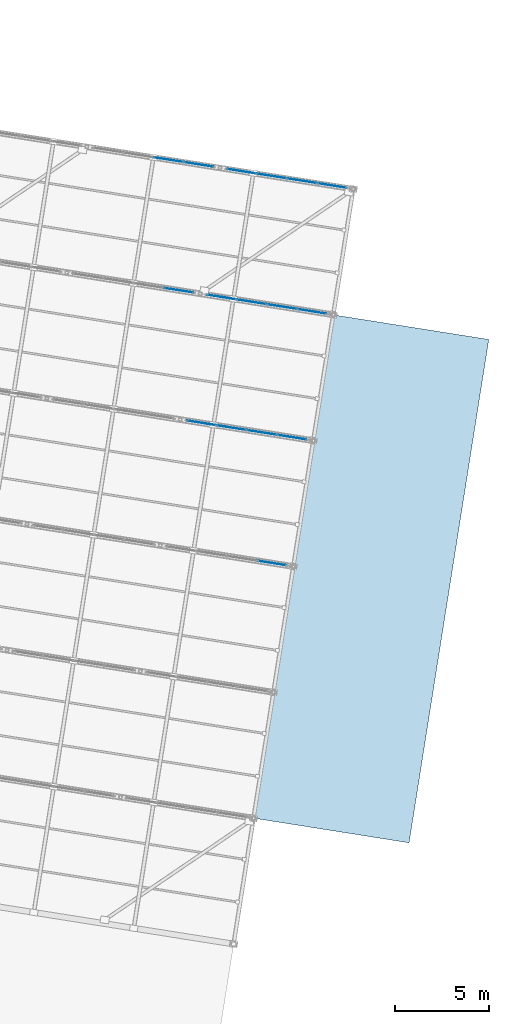
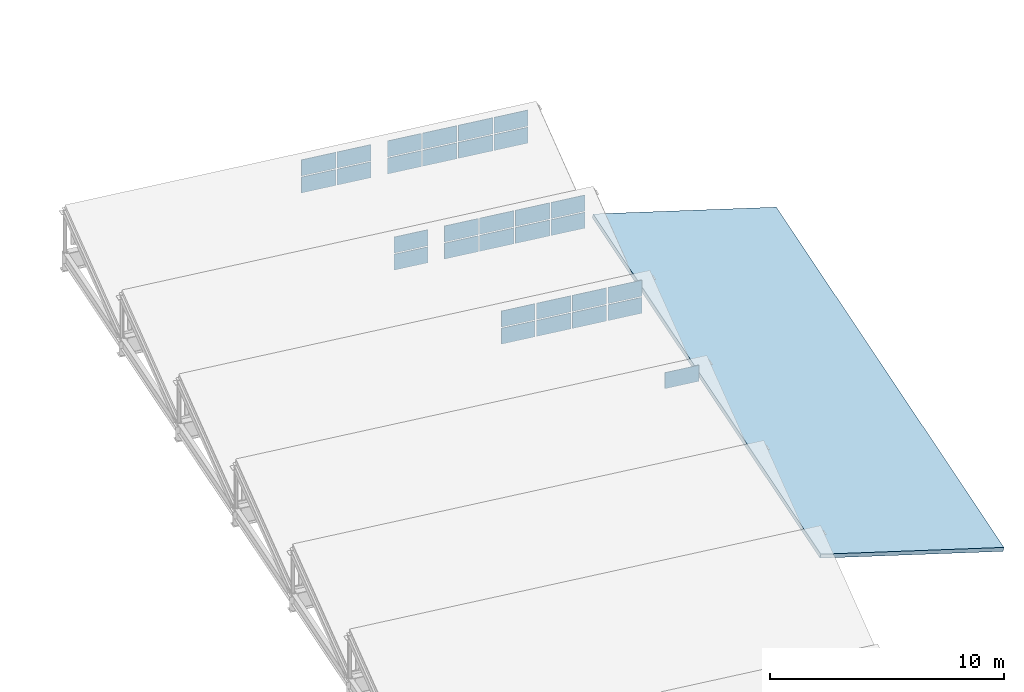
# One storey, part 58 of 65: 31 plates, 1 slab, 6 elements without a shape of their own.
"""IFC4 building model written with IfcOpenShell, lengths in metres."""

from ifc_helpers import new_model, si_unit, direction, frame, origin, origin_2d, place, context, subcontext, project, spatial, polyline, rectangle, outline, extrude, material, layer, layer_set, type_object, element, aggregate, save


model = new_model("IFC4")

# Units and contexts
model_context = context("Model", 3, precision=1e-05, world=origin(), true_north=direction((0.0, 1.0)))
body_context = subcontext(model_context, "Body", "Model", "MODEL_VIEW")
ifc_project = project(units=[si_unit("LENGTHUNIT", "METRE"), si_unit("AREAUNIT", "SQUARE_METRE"), si_unit("VOLUMEUNIT", "CUBIC_METRE"), si_unit("PLANEANGLEUNIT", "RADIAN"), si_unit("MASSUNIT", "GRAM", prefix="KILO")], contexts=[model_context])

# Site, building, storey
site_placement = place(None, origin())
site = spatial("IfcSite", under=ifc_project, at=site_placement, CompositionType="ELEMENT")
building_placement = place(site_placement, origin())
building = spatial("IfcBuilding", under=site, at=building_placement, Name="Cinderway Yard Community Centre", CompositionType="ELEMENT")
storey_placement = place(building_placement, frame((0.0, 0.0, 24.300048828125)))
storey = spatial("IfcBuildingStorey", under=building, at=storey_placement, Name="RF", CompositionType="ELEMENT", Elevation=24.300048828125)

# Curtain wall, plate
ifc_material_1 = material(Name="Aluminium 6063-T6", Category="aluminium")
curtain_wall_type = type_object("IfcCurtainWallType", Name="ENV-CW-TYPE-23", PredefinedType="USERDEFINED", material=ifc_material_1)
curtain_wall_1_placement = place(storey_placement, origin())
curtain_wall_1 = element("IfcCurtainWall", 1, at=curtain_wall_1_placement, inside=storey, type_object=curtain_wall_type, Name="Sawtooth North-Light Clerestory ENV-CW-RF-ST-0080", ObjectType="GLAZED CURTAIN WALL", PredefinedType="USERDEFINED")
ifc_material_2 = material(Name="Laminated Low-E Glass", Category="glass")
ifc_layer_1 = layer(ifc_material_2, 0.028076171875, Name="Laminated Low-E Glass")
ifc_layer_set_1 = layer_set([ifc_layer_1], Name="Laminated Low-E Glass")
plate_type = type_object("IfcPlateType", Name="ENV-CW-PAN-IGU28", PredefinedType="CURTAIN_PANEL", material=ifc_layer_set_1)
plate_1_placement = place(storey_placement, frame((141.38427734375, 54.95068359375, -9.25), z_axis=(0.0, 0.0, 1.0), x_axis=(0.987692410142, -0.15640876877, 0.0)))
plate_1 = element("IfcPlate", 2, at=plate_1_placement, type_object=plate_type, Name="CW-23 panel 4.2", PredefinedType="CURTAIN_PANEL", context=body_context, shape_type="SweptSolid", body=[
    extrude(rectangle(XDim=1.550048828125, YDim=0.028076171875, at=origin_2d()), origin(), (0.0, 0.0, 1.0), 0.840087890625),
])
aggregate(curtain_wall_1, [plate_1])

# Curtain wall, plates
curtain_wall_2_placement = place(storey_placement, origin())
curtain_wall_2 = element("IfcCurtainWall", 3, at=curtain_wall_2_placement, inside=storey, type_object=curtain_wall_type, Name="Sawtooth North-Light Clerestory ENV-CW-RF-ST-0083", ObjectType="GLAZED CURTAIN WALL", PredefinedType="USERDEFINED")
plate_2_placement = place(storey_placement, frame((137.61865234375, 62.431396484375, -10.14013671875), z_axis=(0.0, 0.0, 1.0), x_axis=(0.987692410142, -0.15640876877, 0.0)))
plate_2 = element("IfcPlate", 4, at=plate_2_placement, type_object=plate_type, Name="CW-23 panel 1.1", PredefinedType="CURTAIN_PANEL", context=body_context, shape_type="SweptSolid", body=[
    extrude(rectangle(XDim=1.550048828125, YDim=0.028076171875, at=origin_2d()), origin(), (0.0, 0.0, 1.0), 0.830078125),
])
plate_3_placement = place(storey_placement, frame((137.61865234375, 62.431396484375, -9.25), z_axis=(0.0, 0.0, 1.0), x_axis=(0.987692410142, -0.15640876877, 0.0)))
plate_3 = element("IfcPlate", 5, at=plate_3_placement, type_object=plate_type, Name="CW-23 panel 1.2", PredefinedType="CURTAIN_PANEL", context=body_context, shape_type="SweptSolid", body=[
    extrude(rectangle(XDim=1.550048828125, YDim=0.028076171875, at=origin_2d()), origin(), (0.0, 0.0, 1.0), 0.840087890625),
])
plate_4_placement = place(storey_placement, frame((139.2236328125, 62.17724609375, -10.14013671875), z_axis=(0.0, 0.0, 1.0), x_axis=(0.987692410142, -0.15640876877, 0.0)))
plate_4 = element("IfcPlate", 6, at=plate_4_placement, type_object=plate_type, Name="CW-23 panel 2.1", PredefinedType="CURTAIN_PANEL", context=body_context, shape_type="SweptSolid", body=[
    extrude(rectangle(XDim=1.579833984375, YDim=0.028076171875, at=origin_2d()), origin(), (0.0, 0.0, 1.0), 0.830078125),
])
plate_5_placement = place(storey_placement, frame((139.2236328125, 62.17724609375, -9.25), z_axis=(0.0, 0.0, 1.0), x_axis=(0.987692410142, -0.15640876877, 0.0)))
plate_5 = element("IfcPlate", 7, at=plate_5_placement, type_object=plate_type, Name="CW-23 panel 2.2", PredefinedType="CURTAIN_PANEL", context=body_context, shape_type="SweptSolid", body=[
    extrude(rectangle(XDim=1.579833984375, YDim=0.028076171875, at=origin_2d()), origin(), (0.0, 0.0, 1.0), 0.840087890625),
])
plate_6_placement = place(storey_placement, frame((140.84326171875, 61.920654296875, -10.14013671875), z_axis=(0.0, 0.0, 1.0), x_axis=(0.987692410142, -0.15640876877, 0.0)))
plate_6 = element("IfcPlate", 8, at=plate_6_placement, type_object=plate_type, Name="CW-23 panel 3.1", PredefinedType="CURTAIN_PANEL", context=body_context, shape_type="SweptSolid", body=[
    extrude(rectangle(XDim=1.579833984375, YDim=0.028076171875, at=origin_2d()), origin(), (0.0, 0.0, 1.0), 0.830078125),
])
plate_7_placement = place(storey_placement, frame((140.84326171875, 61.920654296875, -9.25), z_axis=(0.0, 0.0, 1.0), x_axis=(0.987692410142, -0.15640876877, 0.0)))
plate_7 = element("IfcPlate", 9, at=plate_7_placement, type_object=plate_type, Name="CW-23 panel 3.2", PredefinedType="CURTAIN_PANEL", context=body_context, shape_type="SweptSolid", body=[
    extrude(rectangle(XDim=1.579833984375, YDim=0.028076171875, at=origin_2d()), origin(), (0.0, 0.0, 1.0), 0.840087890625),
])
plate_8_placement = place(storey_placement, frame((142.4482421875, 61.66650390625, -10.14013671875), z_axis=(0.0, 0.0, 1.0), x_axis=(0.987692410142, -0.15640876877, 0.0)))
plate_8 = element("IfcPlate", 10, at=plate_8_placement, type_object=plate_type, Name="CW-23 panel 4.1", PredefinedType="CURTAIN_PANEL", context=body_context, shape_type="SweptSolid", body=[
    extrude(rectangle(XDim=1.550048828125, YDim=0.028076171875, at=origin_2d()), origin(), (0.0, 0.0, 1.0), 0.830078125),
])
plate_9_placement = place(storey_placement, frame((142.4482421875, 61.66650390625, -9.25), z_axis=(0.0, 0.0, 1.0), x_axis=(0.987692410142, -0.15640876877, 0.0)))
plate_9 = element("IfcPlate", 11, at=plate_9_placement, type_object=plate_type, Name="CW-23 panel 4.2", PredefinedType="CURTAIN_PANEL", context=body_context, shape_type="SweptSolid", body=[
    extrude(rectangle(XDim=1.550048828125, YDim=0.028076171875, at=origin_2d()), origin(), (0.0, 0.0, 1.0), 0.840087890625),
])
aggregate(curtain_wall_2, [plate_2, plate_3, plate_4, plate_5, plate_6, plate_7, plate_8, plate_9])

curtain_wall_3_placement = place(storey_placement, origin())
curtain_wall_3 = element("IfcCurtainWall", 12, at=curtain_wall_3_placement, inside=storey, type_object=curtain_wall_type, Name="Sawtooth North-Light Clerestory ENV-CW-RF-ST-0085", ObjectType="GLAZED CURTAIN WALL", PredefinedType="USERDEFINED")
plate_10_placement = place(storey_placement, frame((136.400390625, 69.509521484375, -10.14013671875), z_axis=(0.0, 0.0, 1.0), x_axis=(0.987692410142, -0.15640876877, 0.0)))
plate_10 = element("IfcPlate", 13, at=plate_10_placement, type_object=plate_type, Name="CW-23 panel 4.1", PredefinedType="CURTAIN_PANEL", context=body_context, shape_type="SweptSolid", body=[
    extrude(rectangle(XDim=1.550048828125, YDim=0.028076171875, at=origin_2d()), origin(), (0.0, 0.0, 1.0), 0.830078125),
])
plate_11_placement = place(storey_placement, frame((136.400390625, 69.509521484375, -9.25), z_axis=(0.0, 0.0, 1.0), x_axis=(0.987692410142, -0.15640876877, 0.0)))
plate_11 = element("IfcPlate", 14, at=plate_11_placement, type_object=plate_type, Name="CW-23 panel 4.2", PredefinedType="CURTAIN_PANEL", context=body_context, shape_type="SweptSolid", body=[
    extrude(rectangle(XDim=1.550048828125, YDim=0.028076171875, at=origin_2d()), origin(), (0.0, 0.0, 1.0), 0.840087890625),
])
aggregate(curtain_wall_3, [plate_10, plate_11])

curtain_wall_4_placement = place(storey_placement, origin())
curtain_wall_4 = element("IfcCurtainWall", 15, at=curtain_wall_4_placement, inside=storey, type_object=curtain_wall_type, Name="Sawtooth North-Light Clerestory ENV-CW-RF-ST-0086", ObjectType="GLAZED CURTAIN WALL", PredefinedType="USERDEFINED")
plate_12_placement = place(storey_placement, frame((138.681884765625, 69.148193359375, -10.14013671875), z_axis=(0.0, 0.0, 1.0), x_axis=(0.98767258474, -0.156533911189, 0.0)))
plate_12 = element("IfcPlate", 16, at=plate_12_placement, type_object=plate_type, Name="CW-23 panel 1.1", PredefinedType="CURTAIN_PANEL", context=body_context, shape_type="SweptSolid", body=[
    extrude(rectangle(XDim=1.55029296875, YDim=0.028076171875, at=origin_2d()), origin(), (0.0, 0.0, 1.0), 0.830078125),
])
plate_13_placement = place(storey_placement, frame((138.681884765625, 69.148193359375, -9.25), z_axis=(0.0, 0.0, 1.0), x_axis=(0.98767258474, -0.156533911189, 0.0)))
plate_13 = element("IfcPlate", 17, at=plate_13_placement, type_object=plate_type, Name="CW-23 panel 1.2", PredefinedType="CURTAIN_PANEL", context=body_context, shape_type="SweptSolid", body=[
    extrude(rectangle(XDim=1.55029296875, YDim=0.028076171875, at=origin_2d()), origin(), (0.0, 0.0, 1.0), 0.840087890625),
])
plate_14_placement = place(storey_placement, frame((140.287109375, 68.893798828125, -10.14013671875), z_axis=(0.0, 0.0, 1.0), x_axis=(0.98767258474, -0.156533911189, 0.0)))
plate_14 = element("IfcPlate", 18, at=plate_14_placement, type_object=plate_type, Name="CW-23 panel 2.1", PredefinedType="CURTAIN_PANEL", context=body_context, shape_type="SweptSolid", body=[
    extrude(rectangle(XDim=1.580322265625, YDim=0.028076171875, at=origin_2d()), origin(), (0.0, 0.0, 1.0), 0.830078125),
])
plate_15_placement = place(storey_placement, frame((140.287109375, 68.893798828125, -9.25), z_axis=(0.0, 0.0, 1.0), x_axis=(0.98767258474, -0.156533911189, 0.0)))
plate_15 = element("IfcPlate", 19, at=plate_15_placement, type_object=plate_type, Name="CW-23 panel 2.2", PredefinedType="CURTAIN_PANEL", context=body_context, shape_type="SweptSolid", body=[
    extrude(rectangle(XDim=1.580322265625, YDim=0.028076171875, at=origin_2d()), origin(), (0.0, 0.0, 1.0), 0.840087890625),
])
plate_16_placement = place(storey_placement, frame((141.906982421875, 68.63720703125, -10.14013671875), z_axis=(0.0, 0.0, 1.0), x_axis=(0.98767258474, -0.156533911189, 0.0)))
plate_16 = element("IfcPlate", 20, at=plate_16_placement, type_object=plate_type, Name="CW-23 panel 3.1", PredefinedType="CURTAIN_PANEL", context=body_context, shape_type="SweptSolid", body=[
    extrude(rectangle(XDim=1.580322265625, YDim=0.028076171875, at=origin_2d()), origin(), (0.0, 0.0, 1.0), 0.830078125),
])
plate_17_placement = place(storey_placement, frame((141.906982421875, 68.63720703125, -9.25), z_axis=(0.0, 0.0, 1.0), x_axis=(0.98767258474, -0.156533911189, 0.0)))
plate_17 = element("IfcPlate", 21, at=plate_17_placement, type_object=plate_type, Name="CW-23 panel 3.2", PredefinedType="CURTAIN_PANEL", context=body_context, shape_type="SweptSolid", body=[
    extrude(rectangle(XDim=1.580322265625, YDim=0.028076171875, at=origin_2d()), origin(), (0.0, 0.0, 1.0), 0.840087890625),
])
plate_18_placement = place(storey_placement, frame((143.51220703125, 68.3828125, -10.14013671875), z_axis=(0.0, 0.0, 1.0), x_axis=(0.98767258474, -0.156533911189, 0.0)))
plate_18 = element("IfcPlate", 22, at=plate_18_placement, type_object=plate_type, Name="CW-23 panel 4.1", PredefinedType="CURTAIN_PANEL", context=body_context, shape_type="SweptSolid", body=[
    extrude(rectangle(XDim=1.55029296875, YDim=0.028076171875, at=origin_2d()), origin(), (0.0, 0.0, 1.0), 0.830078125),
])
plate_19_placement = place(storey_placement, frame((143.51220703125, 68.3828125, -9.25), z_axis=(0.0, 0.0, 1.0), x_axis=(0.98767258474, -0.156533911189, 0.0)))
plate_19 = element("IfcPlate", 23, at=plate_19_placement, type_object=plate_type, Name="CW-23 panel 4.2", PredefinedType="CURTAIN_PANEL", context=body_context, shape_type="SweptSolid", body=[
    extrude(rectangle(XDim=1.55029296875, YDim=0.028076171875, at=origin_2d()), origin(), (0.0, 0.0, 1.0), 0.840087890625),
])
aggregate(curtain_wall_4, [plate_12, plate_13, plate_14, plate_15, plate_16, plate_17, plate_18, plate_19])

curtain_wall_5_placement = place(storey_placement, origin())
curtain_wall_5 = element("IfcCurtainWall", 24, at=curtain_wall_5_placement, inside=storey, type_object=curtain_wall_type, Name="Sawtooth North-Light Clerestory ENV-CW-RF-ST-0088", ObjectType="GLAZED CURTAIN WALL", PredefinedType="USERDEFINED")
plate_20_placement = place(storey_placement, frame((135.859375, 76.479736328125, -10.14013671875), z_axis=(0.0, 0.0, 1.0), x_axis=(0.987692410142, -0.15640876877, 0.0)))
plate_20 = element("IfcPlate", 25, at=plate_20_placement, type_object=plate_type, Name="CW-23 panel 3.1", PredefinedType="CURTAIN_PANEL", context=body_context, shape_type="SweptSolid", body=[
    extrude(rectangle(XDim=1.579833984375, YDim=0.028076171875, at=origin_2d()), origin(), (0.0, 0.0, 1.0), 0.830078125),
])
plate_21_placement = place(storey_placement, frame((135.859375, 76.479736328125, -9.25), z_axis=(0.0, 0.0, 1.0), x_axis=(0.987692410142, -0.15640876877, 0.0)))
plate_21 = element("IfcPlate", 26, at=plate_21_placement, type_object=plate_type, Name="CW-23 panel 3.2", PredefinedType="CURTAIN_PANEL", context=body_context, shape_type="SweptSolid", body=[
    extrude(rectangle(XDim=1.579833984375, YDim=0.028076171875, at=origin_2d()), origin(), (0.0, 0.0, 1.0), 0.840087890625),
])
plate_22_placement = place(storey_placement, frame((137.46435546875, 76.2255859375, -10.14013671875), z_axis=(0.0, 0.0, 1.0), x_axis=(0.987692410142, -0.15640876877, 0.0)))
plate_22 = element("IfcPlate", 27, at=plate_22_placement, type_object=plate_type, Name="CW-23 panel 4.1", PredefinedType="CURTAIN_PANEL", context=body_context, shape_type="SweptSolid", body=[
    extrude(rectangle(XDim=1.550048828125, YDim=0.028076171875, at=origin_2d()), origin(), (0.0, 0.0, 1.0), 0.830078125),
])
plate_23_placement = place(storey_placement, frame((137.46435546875, 76.2255859375, -9.25), z_axis=(0.0, 0.0, 1.0), x_axis=(0.987692410142, -0.15640876877, 0.0)))
plate_23 = element("IfcPlate", 28, at=plate_23_placement, type_object=plate_type, Name="CW-23 panel 4.2", PredefinedType="CURTAIN_PANEL", context=body_context, shape_type="SweptSolid", body=[
    extrude(rectangle(XDim=1.550048828125, YDim=0.028076171875, at=origin_2d()), origin(), (0.0, 0.0, 1.0), 0.840087890625),
])
aggregate(curtain_wall_5, [plate_20, plate_21, plate_22, plate_23])

curtain_wall_6_placement = place(storey_placement, origin())
curtain_wall_6 = element("IfcCurtainWall", 29, at=curtain_wall_6_placement, inside=storey, type_object=curtain_wall_type, Name="Sawtooth North-Light Clerestory ENV-CW-RF-ST-0089", ObjectType="GLAZED CURTAIN WALL", PredefinedType="USERDEFINED")
plate_24_placement = place(storey_placement, frame((139.745849609375, 75.864501953125, -10.14013671875), z_axis=(0.0, 0.0, 1.0), x_axis=(0.987696138675, -0.156385221956, 0.0)))
plate_24 = element("IfcPlate", 30, at=plate_24_placement, type_object=plate_type, Name="CW-23 panel 1.1", PredefinedType="CURTAIN_PANEL", context=body_context, shape_type="SweptSolid", body=[
    extrude(rectangle(XDim=1.55029296875, YDim=0.028076171875, at=origin_2d()), origin(), (0.0, 0.0, 1.0), 0.830078125),
])
plate_25_placement = place(storey_placement, frame((139.745849609375, 75.864501953125, -9.25), z_axis=(0.0, 0.0, 1.0), x_axis=(0.987696138675, -0.156385221956, 0.0)))
plate_25 = element("IfcPlate", 31, at=plate_25_placement, type_object=plate_type, Name="CW-23 panel 1.2", PredefinedType="CURTAIN_PANEL", context=body_context, shape_type="SweptSolid", body=[
    extrude(rectangle(XDim=1.55029296875, YDim=0.028076171875, at=origin_2d()), origin(), (0.0, 0.0, 1.0), 0.840087890625),
])
plate_26_placement = place(storey_placement, frame((141.35107421875, 75.6103515625, -10.14013671875), z_axis=(0.0, 0.0, 1.0), x_axis=(0.987696138675, -0.156385221956, 0.0)))
plate_26 = element("IfcPlate", 32, at=plate_26_placement, type_object=plate_type, Name="CW-23 panel 2.1", PredefinedType="CURTAIN_PANEL", context=body_context, shape_type="SweptSolid", body=[
    extrude(rectangle(XDim=1.580078125, YDim=0.028076171875, at=origin_2d()), origin(), (0.0, 0.0, 1.0), 0.830078125),
])
plate_27_placement = place(storey_placement, frame((141.35107421875, 75.6103515625, -9.25), z_axis=(0.0, 0.0, 1.0), x_axis=(0.987696138675, -0.156385221956, 0.0)))
plate_27 = element("IfcPlate", 33, at=plate_27_placement, type_object=plate_type, Name="CW-23 panel 2.2", PredefinedType="CURTAIN_PANEL", context=body_context, shape_type="SweptSolid", body=[
    extrude(rectangle(XDim=1.580078125, YDim=0.028076171875, at=origin_2d()), origin(), (0.0, 0.0, 1.0), 0.840087890625),
])
plate_28_placement = place(storey_placement, frame((142.970947265625, 75.353759765625, -10.14013671875), z_axis=(0.0, 0.0, 1.0), x_axis=(0.987696138675, -0.156385221956, 0.0)))
plate_28 = element("IfcPlate", 34, at=plate_28_placement, type_object=plate_type, Name="CW-23 panel 3.1", PredefinedType="CURTAIN_PANEL", context=body_context, shape_type="SweptSolid", body=[
    extrude(rectangle(XDim=1.580078125, YDim=0.028076171875, at=origin_2d()), origin(), (0.0, 0.0, 1.0), 0.830078125),
])
plate_29_placement = place(storey_placement, frame((142.970947265625, 75.353759765625, -9.25), z_axis=(0.0, 0.0, 1.0), x_axis=(0.987696138675, -0.156385221956, 0.0)))
plate_29 = element("IfcPlate", 35, at=plate_29_placement, type_object=plate_type, Name="CW-23 panel 3.2", PredefinedType="CURTAIN_PANEL", context=body_context, shape_type="SweptSolid", body=[
    extrude(rectangle(XDim=1.580078125, YDim=0.028076171875, at=origin_2d()), origin(), (0.0, 0.0, 1.0), 0.840087890625),
])
plate_30_placement = place(storey_placement, frame((144.576171875, 75.099609375, -10.14013671875), z_axis=(0.0, 0.0, 1.0), x_axis=(0.987696138675, -0.156385221956, 0.0)))
plate_30 = element("IfcPlate", 36, at=plate_30_placement, type_object=plate_type, Name="CW-23 panel 4.1", PredefinedType="CURTAIN_PANEL", context=body_context, shape_type="SweptSolid", body=[
    extrude(rectangle(XDim=1.55029296875, YDim=0.028076171875, at=origin_2d()), origin(), (0.0, 0.0, 1.0), 0.830078125),
])
plate_31_placement = place(storey_placement, frame((144.576171875, 75.099609375, -9.25), z_axis=(0.0, 0.0, 1.0), x_axis=(0.987696138675, -0.156385221956, 0.0)))
plate_31 = element("IfcPlate", 37, at=plate_31_placement, type_object=plate_type, Name="CW-23 panel 4.2", PredefinedType="CURTAIN_PANEL", context=body_context, shape_type="SweptSolid", body=[
    extrude(rectangle(XDim=1.55029296875, YDim=0.028076171875, at=origin_2d()), origin(), (0.0, 0.0, 1.0), 0.840087890625),
])
aggregate(curtain_wall_6, [plate_24, plate_25, plate_26, plate_27, plate_28, plate_29, plate_30, plate_31])

# Slab
ifc_material_3 = material(Name="Concrete C40/50", Category="concrete")
ifc_layer_2 = layer(ifc_material_3, 0.199951171875, Name="Concrete C40/50")
ifc_layer_set_2 = layer_set([ifc_layer_2], Name="Concrete C40/50")
slab_type = type_object("IfcSlabType", Name="STR-SLAB-ROOF-MP200", PredefinedType="ROOF", material=ifc_layer_set_2)
slab_placement = place(storey_placement, frame((140.39794921875, 41.3369140625, -9.5), z_axis=(0.201456281962, -0.03190760376, 0.978977666385), x_axis=(0.966925097909, -0.153144135749, -0.203967469758)))
element("IfcSlab", 38, at=slab_placement, inside=storey, type_object=slab_type, Name="V2 EAST-BAR Sloped Roof", PredefinedType="ROOF", context=body_context, shape_type="SweptSolid", body=[
    extrude(outline(polyline([(0.0, 0.0), (8.579917557097197, 3.929148673087468e-16), (8.579854825802405, 27.199847941424817), (0.000173334402939318, 27.199886133026826), (0.0, 0.0)])), origin(), (0.0, 0.0, -1.0), 0.199951171875),
])

save(model, "model.ifc")
